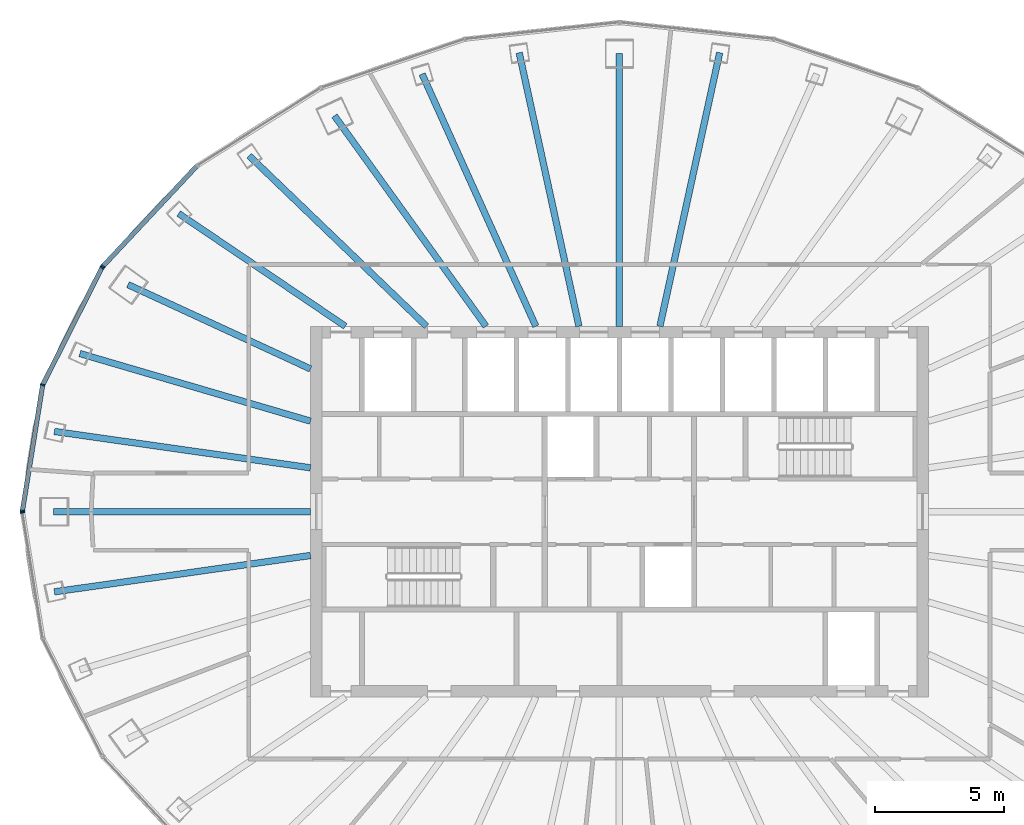
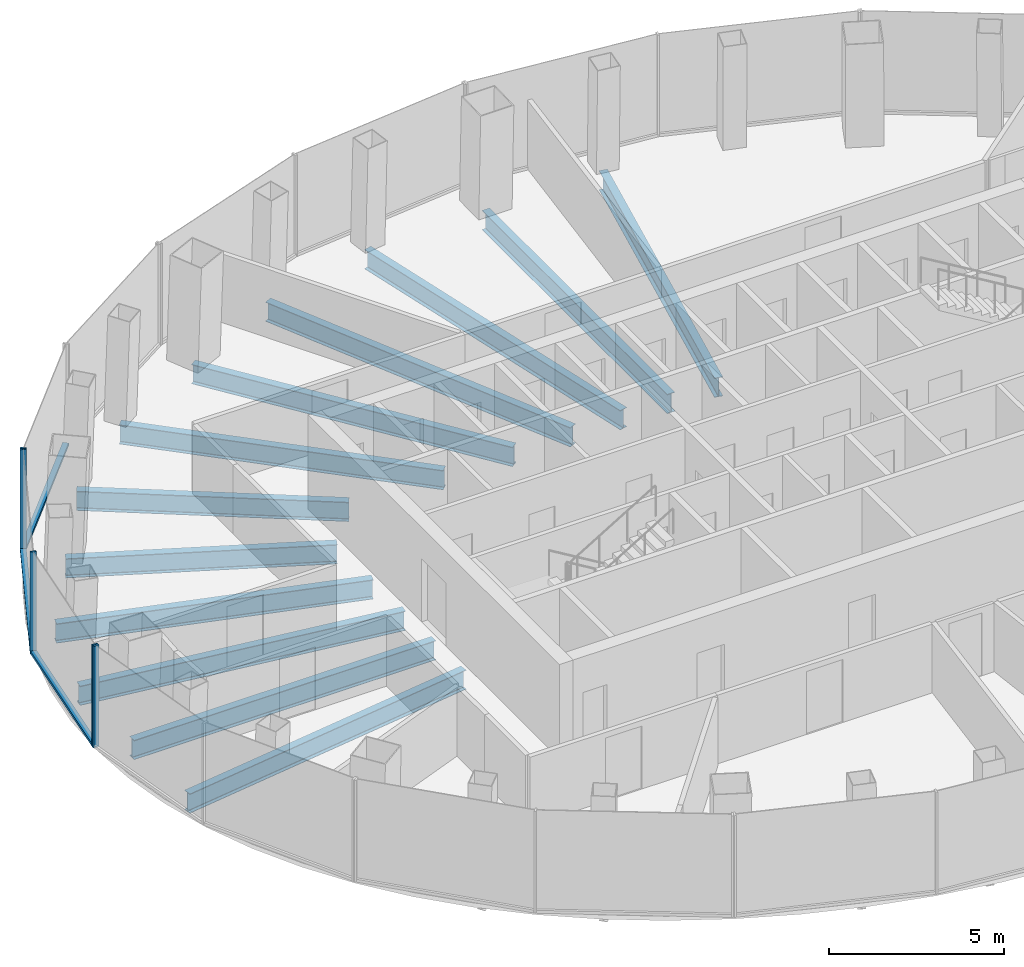
# One storey, part 4 of 11: 12 beams, 8 members, 3 elements without a shape of their own.
"""IFC4 building model written with IfcOpenShell, lengths in metres."""

from ifc_helpers import new_model, si_unit, direction, frame, origin, origin_2d, place, context, subcontext, project, spatial, rectangle, i_section, extrude, material, layer, layer_set, material_profile, profile_set, type_object, element, aggregate, save


model = new_model("IFC4")

# Units and contexts
model_context = context("Model", 3, precision=1e-05, world=origin(), true_north=direction((0.0, 1.0)))
body_context = subcontext(model_context, "Body", "Model", "MODEL_VIEW")
ifc_project = project(units=[si_unit("LENGTHUNIT", "METRE"), si_unit("AREAUNIT", "SQUARE_METRE"), si_unit("VOLUMEUNIT", "CUBIC_METRE"), si_unit("PLANEANGLEUNIT", "RADIAN"), si_unit("MASSUNIT", "GRAM", prefix="KILO")], contexts=[model_context])

# Site, building, storey
site_placement = place(None, origin())
site = spatial("IfcSite", under=ifc_project, at=site_placement, CompositionType="ELEMENT")
building_placement = place(site_placement, origin())
building = spatial("IfcBuilding", under=site, at=building_placement, Name="Siaravel Broadcast Tower", CompositionType="ELEMENT")
storey_placement = place(building_placement, frame((0.0, 0.0, 186.699951171875)))
storey = spatial("IfcBuildingStorey", under=building, at=storey_placement, Name="L45", CompositionType="ELEMENT", Elevation=186.699951171875)

# Beams
ifc_material_1 = material(Name="Steel S355", Category="steel")
ifc_material_profile_1 = material_profile(ifc_material_1, i_section(OverallWidth=0.2529296875, OverallDepth=0.677978515625, WebThickness=0.01171875, FlangeThickness=0.01611328125, FilletRadius=0.01513671875, at=origin_2d()))
ifc_profile_set_1 = profile_set([ifc_material_profile_1], Name="Steel S355")
beam_type = type_object("IfcBeamType", Name="BM-UB 686x254x125", PredefinedType="BEAM", material=ifc_profile_set_1)
beam_1_placement = place(storey_placement, frame((3.8935546875, 17.826416015625, -0.489013671875), z_axis=(-0.213390286, -0.976967034, 0.0), x_axis=(0.976967034, -0.213390286, 0.0)))
element("IfcBeam", 1, at=beam_1_placement, inside=storey, type_object=beam_type, Name="Radial beam RB09", PredefinedType="BEAM", context=body_context, shape_type="SweptSolid", body=[
    extrude(i_section(OverallWidth=0.2529296875, OverallDepth=0.677978515625, WebThickness=0.01171875, FlangeThickness=0.01611328125, FilletRadius=0.01513671875, at=origin_2d()), origin(), (0.0, 0.0, 1.0), 10.876953125),
])
beam_2_placement = place(storey_placement, frame((0.0, 17.805419921875, -0.489013671875), z_axis=(0.0, -1.0, 0.0), x_axis=(1.0, 0.0, 0.0)))
element("IfcBeam", 2, at=beam_2_placement, inside=storey, type_object=beam_type, Name="Radial beam RB10", PredefinedType="BEAM", context=body_context, shape_type="SweptSolid", body=[
    extrude(i_section(OverallWidth=0.2529296875, OverallDepth=0.677978515625, WebThickness=0.01171875, FlangeThickness=0.01611328125, FilletRadius=0.01513671875, at=origin_2d()), origin(), (0.0, 0.0, 1.0), 10.60546875),
])
beam_3_placement = place(storey_placement, frame((-3.8935546875, 17.826416015625, -0.489013671875), z_axis=(0.213390286, -0.976967034, 0.0), x_axis=(0.976967034, 0.213390286, 0.0)))
element("IfcBeam", 3, at=beam_3_placement, inside=storey, type_object=beam_type, Name="Radial beam RB11", PredefinedType="BEAM", context=body_context, shape_type="SweptSolid", body=[
    extrude(i_section(OverallWidth=0.2529296875, OverallDepth=0.677978515625, WebThickness=0.01171875, FlangeThickness=0.01611328125, FilletRadius=0.01513671875, at=origin_2d()), origin(), (0.0, 0.0, 1.0), 10.876953125),
])
beam_4_placement = place(storey_placement, frame((-7.665283203125, 16.998779296875, -0.489013671875), z_axis=(0.411059642, -0.911608453, 0.0), x_axis=(0.911608453, 0.411059642, 0.0)))
element("IfcBeam", 4, at=beam_4_placement, inside=storey, type_object=beam_type, Name="Radial beam RB12", PredefinedType="BEAM", context=body_context, shape_type="SweptSolid", body=[
    extrude(i_section(OverallWidth=0.2529296875, OverallDepth=0.677978515625, WebThickness=0.01171875, FlangeThickness=0.01611328125, FilletRadius=0.01513671875, at=origin_2d()), origin(), (0.0, 0.0, 1.0), 10.7490234375),
])
beam_5_placement = place(storey_placement, frame((-11.070068359375, 15.378173828125, -0.489013671875), z_axis=(0.584231963, -0.811586726, 0.0), x_axis=(0.811586726, 0.584231963, 0.0)))
element("IfcBeam", 5, at=beam_5_placement, inside=storey, type_object=beam_type, Name="Radial beam RB13", PredefinedType="BEAM", context=body_context, shape_type="SweptSolid", body=[
    extrude(i_section(OverallWidth=0.2529296875, OverallDepth=0.677978515625, WebThickness=0.01171875, FlangeThickness=0.01611328125, FilletRadius=0.01513671875, at=origin_2d()), origin(), (0.0, 0.0, 1.0), 10.076904296875),
])
beam_6_placement = place(storey_placement, frame((-14.3828125, 13.8232421875, -0.489013671875), z_axis=(0.720990601, -0.692944841, 0.0), x_axis=(0.692944841, 0.720990601, 0.0)))
element("IfcBeam", 6, at=beam_6_placement, inside=storey, type_object=beam_type, Name="Radial beam RB14", PredefinedType="BEAM", context=body_context, shape_type="SweptSolid", body=[
    extrude(i_section(OverallWidth=0.2529296875, OverallDepth=0.677978515625, WebThickness=0.01171875, FlangeThickness=0.01611328125, FilletRadius=0.01513671875, at=origin_2d()), origin(), (0.0, 0.0, 1.0), 9.55810546875),
])
beam_7_placement = place(storey_placement, frame((-17.121826171875, 11.57958984375, -0.489013671875), z_axis=(0.828346922, -0.560215473, 0.0), x_axis=(0.560215473, 0.828346922, 0.0)))
element("IfcBeam", 7, at=beam_7_placement, inside=storey, type_object=beam_type, Name="Radial beam RB15", PredefinedType="BEAM", context=body_context, shape_type="SweptSolid", body=[
    extrude(i_section(OverallWidth=0.2529296875, OverallDepth=0.677978515625, WebThickness=0.01171875, FlangeThickness=0.01611328125, FilletRadius=0.01513671875, at=origin_2d()), origin(), (0.0, 0.0, 1.0), 7.81787109375),
])
beam_8_placement = place(storey_placement, frame((-19.089111328125, 8.819091796875, -0.489013671875), z_axis=(0.907801019, -0.419401132, 0.0), x_axis=(0.419401132, 0.907801019, 0.0)))
element("IfcBeam", 8, at=beam_8_placement, inside=storey, type_object=beam_type, Name="Radial beam RB16", PredefinedType="BEAM", context=body_context, shape_type="SweptSolid", body=[
    extrude(i_section(OverallWidth=0.2529296875, OverallDepth=0.677978515625, WebThickness=0.01171875, FlangeThickness=0.01611328125, FilletRadius=0.01513671875, at=origin_2d()), origin(), (0.0, 0.0, 1.0), 7.80908203125),
])
beam_9_placement = place(storey_placement, frame((-20.95751953125, 6.14111328125, -0.489013671875), z_axis=(0.959649477, -0.281199006, 0.0), x_axis=(0.281199006, 0.959649477, 0.0)))
element("IfcBeam", 9, at=beam_9_placement, inside=storey, type_object=beam_type, Name="Radial beam RB17", PredefinedType="BEAM", context=body_context, shape_type="SweptSolid", body=[
    extrude(i_section(OverallWidth=0.2529296875, OverallDepth=0.677978515625, WebThickness=0.01171875, FlangeThickness=0.01611328125, FilletRadius=0.01513671875, at=origin_2d()), origin(), (0.0, 0.0, 1.0), 9.334228515625),
])
beam_10_placement = place(storey_placement, frame((-21.94775390625, 3.114501953125, -0.489013671875), z_axis=(0.990081247, -0.140495994, 0.0), x_axis=(0.140495994, 0.990081247, 0.0)))
element("IfcBeam", 10, at=beam_10_placement, inside=storey, type_object=beam_type, Name="Radial beam RB18", PredefinedType="BEAM", context=body_context, shape_type="SweptSolid", body=[
    extrude(i_section(OverallWidth=0.2529296875, OverallDepth=0.677978515625, WebThickness=0.01171875, FlangeThickness=0.01611328125, FilletRadius=0.01513671875, at=origin_2d()), origin(), (0.0, 0.0, 1.0), 10.04736328125),
])
beam_11_placement = place(storey_placement, frame((-21.98046875, 0.0, -0.489013671875), z_axis=(1.0, 0.0, 0.0), x_axis=(0.0, 1.0, 0.0)))
element("IfcBeam", 11, at=beam_11_placement, inside=storey, type_object=beam_type, Name="Radial beam RB19", PredefinedType="BEAM", context=body_context, shape_type="SweptSolid", body=[
    extrude(i_section(OverallWidth=0.2529296875, OverallDepth=0.677978515625, WebThickness=0.01171875, FlangeThickness=0.01611328125, FilletRadius=0.01513671875, at=origin_2d()), origin(), (0.0, 0.0, 1.0), 9.98046875),
])
beam_12_placement = place(storey_placement, frame((-21.94775390625, -3.114501953125, -0.489013671875), z_axis=(0.990081247, 0.140495994, 0.0), x_axis=(-0.140495994, 0.990081247, 0.0)))
element("IfcBeam", 12, at=beam_12_placement, inside=storey, type_object=beam_type, Name="Radial beam RB20", PredefinedType="BEAM", context=body_context, shape_type="SweptSolid", body=[
    extrude(i_section(OverallWidth=0.2529296875, OverallDepth=0.677978515625, WebThickness=0.01171875, FlangeThickness=0.01611328125, FilletRadius=0.01513671875, at=origin_2d()), origin(), (0.0, 0.0, 1.0), 10.04736328125),
])

# Curtain wall, member
ifc_material_2 = material(Name="Aluminium 6063-T6", Category="aluminium")
ifc_layer = layer(ifc_material_2, 0.179931640625)
ifc_layer_set = layer_set([ifc_layer], Name="Aluminium 6063-T6")
curtain_wall_type = type_object("IfcCurtainWallType", Name="Unitised curtain wall, zone 3", PredefinedType="NOTDEFINED", material=ifc_layer_set)
curtain_wall_1_placement = place(storey_placement, origin())
curtain_wall_1 = element("IfcCurtainWall", 13, at=curtain_wall_1_placement, inside=storey, type_object=curtain_wall_type, Name="L45 Unitised curtain wall, zone 3 05", PredefinedType="NOTDEFINED")
ifc_material_profile_2 = material_profile(ifc_material_2, rectangle(XDim=0.179931640625, YDim=0.06005859375, at=origin_2d()))
ifc_profile_set_2 = profile_set([ifc_material_profile_2], Name="Aluminium 6063-T6")
member_type_1 = type_object("IfcMemberType", Name="CW-Z3 mullion", PredefinedType="MULLION", material=ifc_profile_set_2)
member_1_placement = place(storey_placement, frame((-20.064208984375, 9.52978515625, 0.0), z_axis=(0.0, 0.0, 1.0), x_axis=(0.729805016, -0.683655351, 0.0)))
member_1 = element("IfcMember", 14, at=member_1_placement, type_object=member_type_1, Name="CW-Z3 mullion 3", PredefinedType="MULLION", context=body_context, shape_type="SweptSolid", body=[
    extrude(rectangle(XDim=0.179931640625, YDim=0.06005859375, at=origin_2d()), origin(), (0.0, 0.0, 1.0), 3.550048828125),
])

# Curtain wall, members
curtain_wall_2_placement = place(storey_placement, origin())
curtain_wall_2 = element("IfcCurtainWall", 15, at=curtain_wall_2_placement, inside=storey, type_object=curtain_wall_type, Name="L45 Unitised curtain wall, zone 3 06", PredefinedType="NOTDEFINED")
member_2_placement = place(storey_placement, frame((-20.09814453125, 9.48095703125, 0.0), z_axis=(0.0, 0.0, 1.0), x_axis=(0.892392002, -0.451261028, 0.0)))
member_2 = element("IfcMember", 16, at=member_2_placement, type_object=member_type_1, Name="CW-Z3 mullion 1", PredefinedType="MULLION", context=body_context, shape_type="SweptSolid", body=[
    extrude(rectangle(XDim=0.179931640625, YDim=0.06005859375, at=origin_2d()), origin(), (0.0, 0.0, 1.0), 3.550048828125),
])
member_3_placement = place(storey_placement, frame((-22.4033203125, 4.922119140625, 0.0), z_axis=(0.0, 0.0, 1.0), x_axis=(0.95117718, -0.308645383, 0.0)))
member_3 = element("IfcMember", 17, at=member_3_placement, type_object=member_type_1, Name="CW-Z3 mullion 2", PredefinedType="MULLION", context=body_context, shape_type="SweptSolid", body=[
    extrude(rectangle(XDim=0.179931640625, YDim=0.06005859375, at=origin_2d()), origin(), (0.0, 0.0, 1.0), 3.550048828125),
])
member_4_placement = place(storey_placement, frame((-23.189697265625, 0.029541015625, 0.0), z_axis=(0.0, 0.0, 1.0), x_axis=(0.987329174, -0.158685547, 0.0)))
member_4 = element("IfcMember", 18, at=member_4_placement, type_object=member_type_1, Name="CW-Z3 mullion 3", PredefinedType="MULLION", context=body_context, shape_type="SweptSolid", body=[
    extrude(rectangle(XDim=0.179931640625, YDim=0.06005859375, at=origin_2d()), origin(), (0.0, 0.0, 1.0), 3.550048828125),
])

# Curtain wall, member
curtain_wall_3_placement = place(storey_placement, origin())
curtain_wall_3 = element("IfcCurtainWall", 19, at=curtain_wall_3_placement, inside=storey, type_object=curtain_wall_type, Name="L45 Unitised curtain wall, zone 3 07", PredefinedType="NOTDEFINED")
member_5_placement = place(storey_placement, frame((-23.189697265625, -0.029541015625, 0.0), z_axis=(0.0, 0.0, 1.0), x_axis=(0.987329174, 0.158685547, 0.0)))
member_5 = element("IfcMember", 20, at=member_5_placement, type_object=member_type_1, Name="CW-Z3 mullion 1", PredefinedType="MULLION", context=body_context, shape_type="SweptSolid", body=[
    extrude(rectangle(XDim=0.179931640625, YDim=0.06005859375, at=origin_2d()), origin(), (0.0, 0.0, 1.0), 3.550048828125),
])
aggregate(curtain_wall_3, [member_5])

# Member
ifc_material_profile_3 = material_profile(ifc_material_2, rectangle(XDim=0.179931640625, YDim=0.10009765625, at=origin_2d()))
ifc_profile_set_3 = profile_set([ifc_material_profile_3], Name="Aluminium 6063-T6")
member_type_2 = type_object("IfcMemberType", Name="CW-Z3 transom", PredefinedType="USERDEFINED", material=ifc_profile_set_3)
member_6_placement = place(storey_placement, frame((-16.417724609375, 13.422119140625, 0.050048828125), z_axis=(-0.683668525, -0.729792674, 0.0), x_axis=(0.729792674, -0.683668525, 0.0)))
member_6 = element("IfcMember", 21, at=member_6_placement, type_object=member_type_2, Name="CW-Z3 transom 2", ObjectType="TRANSOM", PredefinedType="USERDEFINED", context=body_context, shape_type="SweptSolid", body=[
    extrude(rectangle(XDim=0.179931640625, YDim=0.10009765625, at=origin_2d()), origin(), (0.0, 0.0, 1.0), 5.3037109375),
])

aggregate(curtain_wall_1, [member_1, member_6])

member_7_placement = place(storey_placement, frame((-20.11181640625, 9.4541015625, 0.050048828125), z_axis=(-0.451251966, -0.892396584, 0.0), x_axis=(0.892396584, -0.451251966, 0.0)))
member_7 = element("IfcMember", 22, at=member_7_placement, type_object=member_type_2, Name="CW-Z3 transom 1", ObjectType="TRANSOM", PredefinedType="USERDEFINED", context=body_context, shape_type="SweptSolid", body=[
    extrude(rectangle(XDim=0.179931640625, YDim=0.10009765625, at=origin_2d()), origin(), (0.0, 0.0, 1.0), 5.04833984375),
])

member_8_placement = place(storey_placement, frame((-22.408203125, 4.892578125, 0.050048828125), z_axis=(-0.158686777, -0.987328976, 0.0), x_axis=(0.987328976, -0.158686777, 0.0)))
member_8 = element("IfcMember", 23, at=member_8_placement, type_object=member_type_2, Name="CW-Z3 transom 2", ObjectType="TRANSOM", PredefinedType="USERDEFINED", context=body_context, shape_type="SweptSolid", body=[
    extrude(rectangle(XDim=0.179931640625, YDim=0.10009765625, at=origin_2d()), origin(), (0.0, 0.0, 1.0), 4.8955078125),
])

aggregate(curtain_wall_2, [member_2, member_3, member_4, member_7, member_8])

save(model, "model.ifc")
